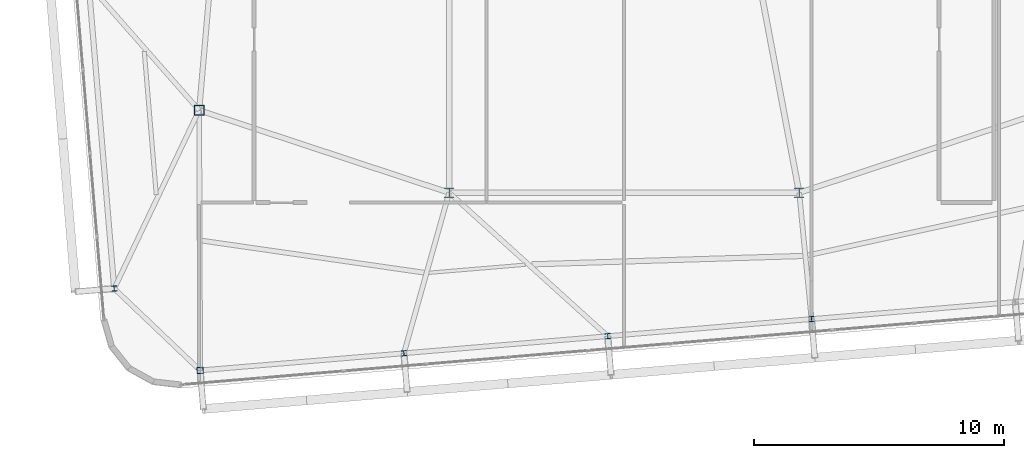
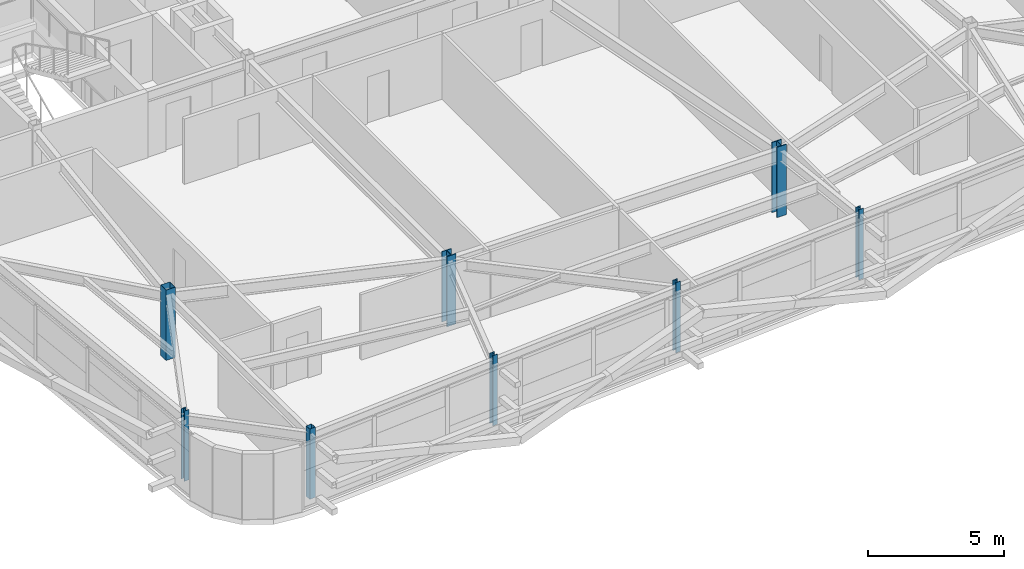
# One storey, part 1 of 46: 8 columns.
"""IFC4 building model written with IfcOpenShell, lengths in metres."""

import ifcopenshell
import ifcopenshell.guid

model = None  # the IFC model being written
_history = None  # IfcOwnerHistory: only IFC2X3 demands one
_inside = {}  # id of a spatial element -> (the spatial element, [elements in it])
_under = {}  # id of a project, library or spatial element -> (it, [spatial elements below it])
_declared = {}  # id of a project -> (the project, [libraries it declares])
_typed = {}  # id of a type object -> (the type object, [elements of that type])
_made_of = {}  # id of a material, layer set ... -> (it, [elements and type objects made of it])


def new_model(schema):
    """Start an empty IFC model of exactly this schema.

    Asked for "IFC4X3", IfcOpenShell would pick the latest addendum, in which some entities
    have other attributes; the version numbers below select the first issue.
    IFC2X3 requires an IfcOwnerHistory on every rooted entity: one is made here for all.
    """
    global model, _history
    if schema == "IFC4X3":
        model = ifcopenshell.file(schema_version=(4, 3, 0, 0))
    else:
        model = ifcopenshell.file(schema=schema)
    _inside.clear()
    _under.clear()
    _declared.clear()
    _typed.clear()
    _made_of.clear()
    _history = None
    if model.schema == "IFC2X3":
        org = make("IfcOrganization", Name="unknown")
        user = make(
            "IfcPersonAndOrganization",
            ThePerson=make("IfcPerson", FamilyName="unknown"),
            TheOrganization=org,
        )
        app = make(
            "IfcApplication",
            ApplicationDeveloper=org,
            Version="unknown",
            ApplicationFullName="unknown",
            ApplicationIdentifier="unknown",
        )
        _history = make(
            "IfcOwnerHistory",
            OwningUser=user,
            OwningApplication=app,
            ChangeAction="ADDED",
            CreationDate=0,
        )
    return model


def make(cls, **values):
    """One entity of the class cls with the attributes given. An attribute that is None is left unset."""
    return model.create_entity(
        cls, **{name: value for name, value in values.items() if value is not None}
    )


def rooted(cls, **values):
    """An entity with a GlobalId (a new one), such as an element, a storey or a relation."""
    return make(cls, GlobalId=ifcopenshell.guid.new(), OwnerHistory=_history, **values)


def si_unit(unit_type, name, prefix=None):
    """IfcSIUnit, for example si_unit("LENGTHUNIT", "METRE", prefix="MILLI")."""
    return make("IfcSIUnit", UnitType=unit_type, Prefix=prefix, Name=name)


def assignment(units):
    """IfcUnitAssignment: the units of a project."""
    return None if units is None else make("IfcUnitAssignment", Units=units)


def point(xyz):
    """IfcCartesianPoint."""
    return None if xyz is None else make("IfcCartesianPoint", Coordinates=xyz)


def direction(xyz):
    """IfcDirection."""
    return None if xyz is None else make("IfcDirection", DirectionRatios=xyz)


def frame(location, z_axis=None, x_axis=None):
    """IfcAxis2Placement3D, a coordinate frame: its origin and axes. An axis left out is left unset."""
    return make(
        "IfcAxis2Placement3D",
        Location=point(location),
        Axis=direction(z_axis),
        RefDirection=direction(x_axis),
    )


def frame_2d(location, x_axis=None):
    """IfcAxis2Placement2D, a coordinate frame in the plane: its origin and x axis."""
    return make(
        "IfcAxis2Placement2D", Location=point(location), RefDirection=direction(x_axis)
    )


def origin():
    """The frame at (0, 0, 0) with its axes left unset."""
    return frame((0.0, 0.0, 0.0))


def origin_2d():
    """The frame at (0, 0) in the plane with its x axis left unset."""
    return frame_2d((0.0, 0.0))


def place(relative_to, where):
    """IfcLocalPlacement: puts the frame where relative to a parent placement (None: the world)."""
    return make(
        "IfcLocalPlacement", PlacementRelTo=relative_to, RelativePlacement=where
    )


def context(
    kind, dimensions, precision=None, world=None, true_north=None, identifier=None
):
    """IfcGeometricRepresentationContext, for example the 3D "Model" context."""
    return make(
        "IfcGeometricRepresentationContext",
        ContextIdentifier=identifier,
        ContextType=kind,
        CoordinateSpaceDimension=dimensions,
        Precision=precision,
        WorldCoordinateSystem=world,
        TrueNorth=true_north,
    )


def subcontext(parent, identifier, kind, view, scale=None):
    """IfcGeometricRepresentationSubContext, for example "Body" below "Model"."""
    return make(
        "IfcGeometricRepresentationSubContext",
        ContextIdentifier=identifier,
        ContextType=kind,
        ParentContext=parent,
        TargetScale=scale,
        TargetView=view,
    )


def project(units=None, contexts=None):
    """IfcProject with its units and contexts."""
    return rooted(
        "IfcProject",
        Name="project",
        RepresentationContexts=contexts,
        UnitsInContext=assignment(units),
    )


def spatial(cls, under=None, at=None, **own):
    """A site, building, storey or space (cls), placed at a placement, below another one or the project."""
    s = rooted(cls, ObjectPlacement=at, **own)
    if under is not None:
        _under.setdefault(under.id(), (under, []))[1].append(s)
    return s


def profile(cls, at=None, kind="AREA", **sizes):
    """A parametric profile (cls). Its sizes go by their IFC names, for example OverallWidth=200.0."""
    return make(cls, ProfileType=kind, Position=at, **sizes)


def hollow_rectangle(**sizes):
    """IfcRectangleHollowProfileDef."""
    return profile("IfcRectangleHollowProfileDef", **sizes)


def i_section(**sizes):
    """IfcIShapeProfileDef."""
    return profile("IfcIShapeProfileDef", **sizes)


def extrude(swept, where, along, depth):
    """IfcExtrudedAreaSolid: the profile swept, set in the frame where, extruded along a direction by depth."""
    return make(
        "IfcExtrudedAreaSolid",
        SweptArea=swept,
        Position=where,
        ExtrudedDirection=direction(along),
        Depth=depth,
    )


def shape(context_of_items, identifier, shape_type, items):
    """IfcShapeRepresentation: the items that make up one representation, for example the "Body"."""
    return make(
        "IfcShapeRepresentation",
        ContextOfItems=context_of_items,
        RepresentationIdentifier=identifier,
        RepresentationType=shape_type,
        Items=items,
    )


def source(mapping_origin, context_of_items, identifier, shape_type, items):
    """IfcRepresentationMap: a shape defined once, which mapped items show again and again."""
    return make(
        "IfcRepresentationMap",
        MappingOrigin=mapping_origin,
        MappedRepresentation=shape(context_of_items, identifier, shape_type, items),
    )


def transform(
    local_origin,
    x_axis=None,
    y_axis=None,
    z_axis=None,
    scale=None,
    scale2=None,
    scale3=None,
    uniform=True,
):
    """IfcCartesianTransformationOperator3D, or its non-uniform kind. x_axis, y_axis, z_axis: its Axis1, 2, 3."""
    if uniform:
        return make(
            "IfcCartesianTransformationOperator3D",
            Axis1=direction(x_axis),
            Axis2=direction(y_axis),
            LocalOrigin=point(local_origin),
            Scale=scale,
            Axis3=direction(z_axis),
        )
    return make(
        "IfcCartesianTransformationOperator3DnonUniform",
        Axis1=direction(x_axis),
        Axis2=direction(y_axis),
        LocalOrigin=point(local_origin),
        Scale=scale,
        Axis3=direction(z_axis),
        Scale2=scale2,
        Scale3=scale3,
    )


def mapped(mapping_source, mapping_target):
    """IfcMappedItem: shows the shape of a source again, moved by a transform."""
    return make(
        "IfcMappedItem", MappingSource=mapping_source, MappingTarget=mapping_target
    )


def material(Name=None, Category=None):
    """IfcMaterial."""
    return make("IfcMaterial", Name=Name, Category=Category)


def material_profile(
    of_material, cross_section, Name=None, Category=None, Priority=None
):
    """IfcMaterialProfile: a cross section and its material."""
    return make(
        "IfcMaterialProfile",
        Name=Name,
        Material=of_material,
        Profile=cross_section,
        Priority=Priority,
        Category=Category,
    )


def profile_set(profiles, Name=None, composite=None):
    """IfcMaterialProfileSet."""
    return make(
        "IfcMaterialProfileSet",
        Name=Name,
        MaterialProfiles=profiles,
        CompositeProfile=composite,
    )


def made_of(thing, what):
    """Note that an element or type object is made of a material, layer set ...; save() writes the relation."""
    if what is not None:
        _made_of.setdefault(what.id(), (what, []))[1].append(thing)
    return thing


def type_object(cls, material=None, **own):
    """A type object (cls), such as IfcWallType, which elements share."""
    return made_of(rooted(cls, **own), material)


def element(
    cls,
    number,
    at=None,
    inside=None,
    cuts=None,
    type_object=None,
    material=None,
    context=None,
    identifier="Body",
    shape_type=None,
    held_by="IfcProductDefinitionShape",
    body=None,
    shapes=None,
    **own,
):
    """One element of the class cls, such as IfcWall. Its Tag is "e" and its number.

    at: its placement. inside: the storey or other place that contains it. cuts: it is an
    opening in that element (IfcRelVoidsElement). A single representation is given by context,
    identifier, shape_type and body (its items); several are given by shapes. held_by: the class
    of the entity that holds the representations. save() writes the other relations.
    """
    e = rooted(cls, Tag="e%d" % number, ObjectPlacement=at, **own)
    if body is not None:
        shapes = [shape(context, identifier, shape_type, body)]
    if shapes is not None:
        e.Representation = make(held_by, Representations=shapes)
    if inside is not None:
        _inside.setdefault(inside.id(), (inside, []))[1].append(e)
    if cuts is not None:
        rooted(
            "IfcRelVoidsElement", RelatingBuildingElement=cuts, RelatedOpeningElement=e
        )
    if type_object is not None:
        _typed.setdefault(type_object.id(), (type_object, []))[1].append(e)
    return made_of(e, material)


def aggregate(whole, parts):
    """IfcRelAggregates: a whole, such as a stair, and the parts it consists of."""
    return rooted("IfcRelAggregates", RelatingObject=whole, RelatedObjects=parts)


def save(model, path):
    """Write the relations noted so far, then the file.

    IfcRelAggregates (storeys below a building ...), IfcRelContainedInSpatialStructure (elements
    in a storey), IfcRelDefinesByType, IfcRelAssociatesMaterial and IfcRelDeclares: one each for
    every whole, place, type object, material and project.
    """
    for whole, parts in _under.values():
        aggregate(whole, parts)
    for where, things in _inside.values():
        rooted(
            "IfcRelContainedInSpatialStructure",
            RelatedElements=things,
            RelatingStructure=where,
        )
    for kind, things in _typed.values():
        rooted("IfcRelDefinesByType", RelatedObjects=things, RelatingType=kind)
    for what, things in _made_of.values():
        rooted("IfcRelAssociatesMaterial", RelatedObjects=things, RelatingMaterial=what)
    for by, libraries in _declared.values():
        rooted("IfcRelDeclares", RelatingContext=by, RelatedDefinitions=libraries)
    model.write(path)


model = new_model("IFC4")

# Units and contexts
model_context = context("Model", 3, precision=1e-05, world=origin(), true_north=direction((0.0, 1.0)))
body_context = subcontext(model_context, "Body", "Model", "MODEL_VIEW")
ifc_project = project(units=[si_unit("LENGTHUNIT", "METRE"), si_unit("AREAUNIT", "SQUARE_METRE"), si_unit("VOLUMEUNIT", "CUBIC_METRE"), si_unit("PLANEANGLEUNIT", "RADIAN"), si_unit("MASSUNIT", "GRAM", prefix="KILO")], contexts=[model_context])

# Site, building, storey
site_placement = place(None, origin())
site = spatial("IfcSite", under=ifc_project, at=site_placement, CompositionType="ELEMENT")
building_placement = place(site_placement, origin())
building = spatial("IfcBuilding", under=site, at=building_placement, Name="Taldren Reach Tower", CompositionType="ELEMENT")
storey_placement = place(building_placement, frame((0.0, 0.0, 188.300048828125)))
storey = spatial("IfcBuildingStorey", under=building, at=storey_placement, Name="L57", CompositionType="ELEMENT", Elevation=188.300048828125)

# Columns
ifc_material_1 = material(Name="Steel Gr 350 (350PLUS)", Category="steel")
ifc_material_profile_1 = material_profile(ifc_material_1, i_section(OverallWidth=0.39990234375, OverallDepth=0.39599609375, WebThickness=0.02197265625, FlangeThickness=0.033935546875, at=origin_2d()), Name="400WC270")
ifc_profile_set_1 = profile_set([ifc_material_profile_1], Name="Steel Gr 350 (350PLUS)")
column_type_1 = type_object("IfcColumnType", Name="COL-WC400", PredefinedType="COLUMN", material=ifc_profile_set_1)
shared_shape_1 = source(origin(), body_context, "Body", "SweptSolid", [
    extrude(i_section(OverallWidth=0.39990234375, OverallDepth=0.39599609375, WebThickness=0.02197265625, FlangeThickness=0.033935546875, at=origin_2d()), origin(), (0.0, 0.0, 1.0), 3.14990234375),
])
for number, where, z_axis, x_axis, name in (
    (1, (28.0, 9.199951171875, 0.0), (0.0, 0.0, 1.0), (1.0, 0.0, 0.0), "Mega column MC-PJW L57"),
    (2, (42.0, 9.199951171875, 0.0), (0.0, 0.0, 1.0), (1.0, 0.0, 0.0), "Mega column MC-PJE L57"),
):
    element("IfcColumn", number, at=place(storey_placement, frame(where, z_axis=z_axis, x_axis=x_axis)), inside=storey, type_object=column_type_1, Name=name, PredefinedType="COLUMN", context=body_context, shape_type="MappedRepresentation", body=[
        mapped(shared_shape_1, transform((0.0, 0.0, 0.0), scale=1.0)),
    ])
ifc_material_2 = material(Name="Steel Gr 450 (C450L0)", Category="steel")
ifc_material_profile_2 = material_profile(ifc_material_2, hollow_rectangle(XDim=0.39990234375, YDim=0.39990234375, WallThickness=0.01611328125, at=origin_2d()), Name="400x400x16.0SHS")
ifc_profile_set_2 = profile_set([ifc_material_profile_2], Name="Steel Gr 450 (C450L0)")
column_type_2 = type_object("IfcColumnType", Name="COL-SHS400", PredefinedType="COLUMN", material=ifc_profile_set_2)
shared_shape_2 = source(origin(), body_context, "Body", "SweptSolid", [
    extrude(hollow_rectangle(XDim=0.39990234375, YDim=0.39990234375, WallThickness=0.01611328125, at=origin_2d()), origin(), (0.0, 0.0, 1.0), 3.14990234375),
])
column_1_placement = place(storey_placement, frame((18.0, 12.5, 0.0), z_axis=(0.0, 0.0, 1.0), x_axis=(1.0, 0.0, 0.0)))
element("IfcColumn", 3, at=column_1_placement, inside=storey, type_object=column_type_2, Name="Mega column MC-SW L57", PredefinedType="COLUMN", context=body_context, shape_type="MappedRepresentation", body=[
    mapped(shared_shape_2, transform((0.0, 0.0, 0.0), scale=1.0)),
])
ifc_material_3 = material(Name="Steel Gr 350 (C350L0)", Category="steel")
ifc_material_profile_3 = material_profile(ifc_material_3, hollow_rectangle(XDim=0.25, YDim=0.25, WallThickness=0.010009765625, at=origin_2d()), Name="250x250x10.0SHS")
ifc_profile_set_3 = profile_set([ifc_material_profile_3], Name="Steel Gr 350 (C350L0)")
column_type_3 = type_object("IfcColumnType", Name="COL-SHS250", PredefinedType="COLUMN", material=ifc_profile_set_3)
shared_shape_3 = source(origin(), body_context, "Body", "SweptSolid", [
    extrude(hollow_rectangle(XDim=0.25, YDim=0.25, WallThickness=0.010009765625, at=origin_2d()), origin(), (0.0, 0.0, 1.0), 3.14990234375),
])
column_2_placement = place(storey_placement, frame((18.03955078125, 2.093994140625, 0.0), z_axis=(0.0, 0.0, 1.0), x_axis=(0.99649285925, 0.083677843332, 0.0)))
element("IfcColumn", 4, at=column_2_placement, inside=storey, type_object=column_type_3, Name="Block B4 perimeter column S1 L57", PredefinedType="COLUMN", context=body_context, shape_type="MappedRepresentation", body=[
    mapped(shared_shape_3, transform((0.0, 0.0, 0.0), scale=1.0)),
])
ifc_material_profile_4 = material_profile(ifc_material_1, i_section(OverallWidth=0.205078125, OverallDepth=0.2099609375, WebThickness=0.00927734375, FlangeThickness=0.01416015625, at=origin_2d()), Name="200UC59.5")
ifc_profile_set_4 = profile_set([ifc_material_profile_4], Name="Steel Gr 350 (350PLUS)")
column_type_4 = type_object("IfcColumnType", Name="COL-UC200", PredefinedType="COLUMN", material=ifc_profile_set_4)
shared_shape_4 = source(origin(), body_context, "Body", "SweptSolid", [
    extrude(i_section(OverallWidth=0.205078125, OverallDepth=0.2099609375, WebThickness=0.00927734375, FlangeThickness=0.01416015625, at=origin_2d()), origin(), (0.0, 0.0, 1.0), 3.14990234375),
])
for number, where, z_axis, x_axis, name in (
    (5, (26.19091796875, 2.778564453125, 0.0), (0.0, 0.0, 1.0), (0.99649285925, 0.083677843332, 0.0), "Block B4 perimeter column S2 L57"),
    (6, (34.34228515625, 3.462890625, 0.0), (0.0, 0.0, 1.0), (0.99649285925, 0.083677843332, 0.0), "Block B4 perimeter column S3 L57"),
    (7, (42.49365234375, 4.1474609375, 0.0), (0.0, 0.0, 1.0), (0.99649285925, 0.083677843332, 0.0), "Block B4 perimeter column S4 L57"),
    (8, (14.603759765625, 5.367919921875, 0.0), (0.0, 0.0, 1.0), (0.99649285925, 0.083677843332, 0.0), "Block B4 perimeter column W1 L57"),
):
    element("IfcColumn", number, at=place(storey_placement, frame(where, z_axis=z_axis, x_axis=x_axis)), inside=storey, type_object=column_type_4, Name=name, PredefinedType="COLUMN", context=body_context, shape_type="MappedRepresentation", body=[
        mapped(shared_shape_4, transform((0.0, 0.0, 0.0), scale=1.0)),
    ])

save(model, "model.ifc")
